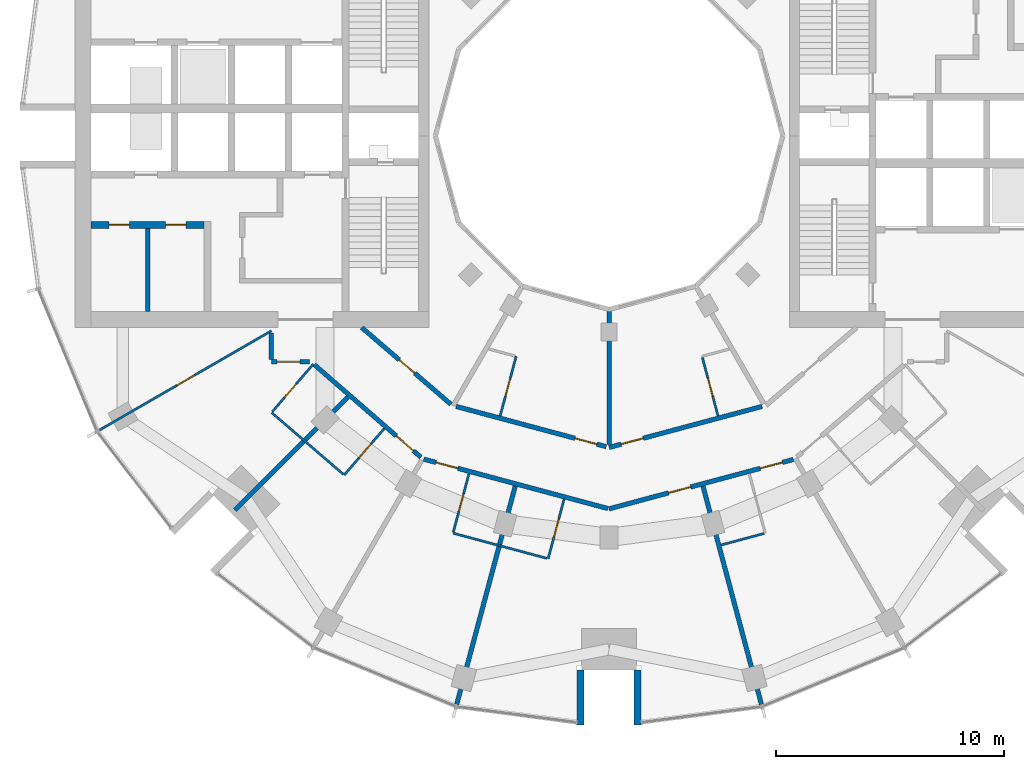
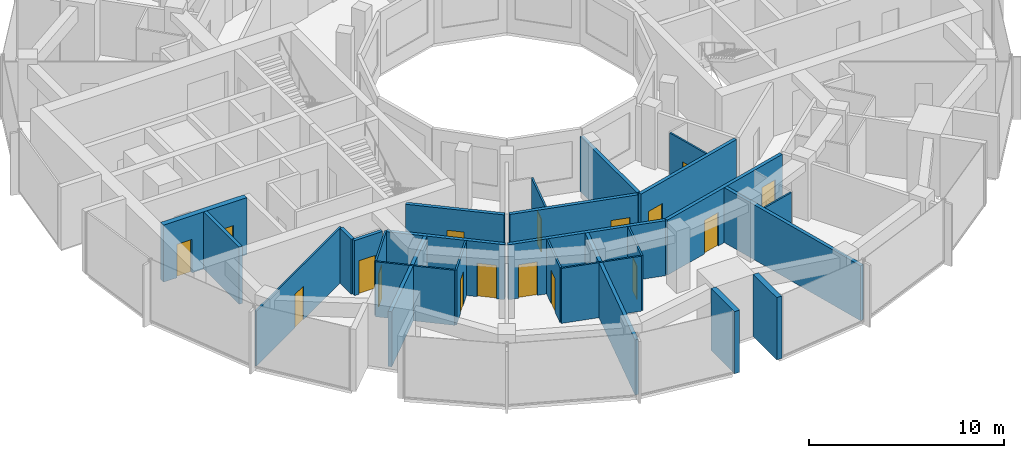
# One storey, part 8 of 15: 26 walls, 17 doors, 17 openings.
"""IFC4 building model written with IfcOpenShell, lengths in metres."""

from ifc_helpers import new_model, si_unit, direction, frame, frame_2d, origin, place, context, subcontext, project, spatial, rectangle, extrude, material, layer, layer_set, type_object, element, fill, save


model = new_model("IFC4")

# Units and contexts
model_context = context("Model", 3, precision=1e-05, world=origin(), true_north=direction((0.0, 1.0)))
body_context = subcontext(model_context, "Body", "Model", "MODEL_VIEW")
ifc_project = project(units=[si_unit("LENGTHUNIT", "METRE"), si_unit("AREAUNIT", "SQUARE_METRE"), si_unit("VOLUMEUNIT", "CUBIC_METRE"), si_unit("PLANEANGLEUNIT", "RADIAN"), si_unit("MASSUNIT", "GRAM", prefix="KILO")], contexts=[model_context])

# Site, building, storey
site_placement = place(None, origin())
site = spatial("IfcSite", under=ifc_project, at=site_placement, CompositionType="ELEMENT")
building_placement = place(site_placement, origin())
building = spatial("IfcBuilding", under=site, at=building_placement, Name="Torre Brocal", CompositionType="ELEMENT")
storey_placement = place(building_placement, frame((0.0, 0.0, 118.5)))
storey = spatial("IfcBuildingStorey", under=building, at=storey_placement, Name="L27", CompositionType="ELEMENT", Elevation=118.5)

# Wall
ifc_material_1 = material(Name="Masonry block", Category="masonry")
ifc_layer_1 = layer(ifc_material_1, 0.199951171875)
ifc_layer_set_1 = layer_set([ifc_layer_1], Name="Masonry block")
wall_type_1 = type_object("IfcWallType", Name="CORE PARTITION 200", PredefinedType="PARTITIONING", material=ifc_layer_set_1)
wall_1_placement = place(storey_placement, frame((59.77490234375, 70.949951171875, 0.0), z_axis=(0.0, 0.0, 1.0), x_axis=(0.0, -1.0, 0.0)))
element("IfcWall", 1, at=wall_1_placement, inside=storey, type_object=wall_type_1, Name="Wall CP200", PredefinedType="PARTITIONING", context=body_context, shape_type="SweptSolid", body=[
    extrude(rectangle(XDim=3.64990234375, YDim=0.199951171875, at=frame_2d((1.824951171875, 0.0))), origin(), (0.0, 0.0, 1.0), 3.580078125),
])

# Wall, openings, doors
ifc_material_2 = material(Name="Concrete C70", Category="concrete")
ifc_layer_2 = layer(ifc_material_2, 0.300048828125)
ifc_layer_set_2 = layer_set([ifc_layer_2], Name="Concrete C70")
wall_type_2 = type_object("IfcWallType", Name="CORE WALL 300 C70", PredefinedType="SHEAR", material=ifc_layer_set_2)
wall_2_placement = place(storey_placement, frame((62.25, 71.10009765625, 0.0), z_axis=(0.0, 0.0, 1.0), x_axis=(-1.0, 0.0, 0.0)))
wall_2 = element("IfcWall", 2, at=wall_2_placement, inside=storey, type_object=wall_type_2, Name="Wall CW300-70", PredefinedType="SHEAR", context=body_context, shape_type="SweptSolid", body=[
    extrude(rectangle(XDim=4.949951171875, YDim=0.300048828125, at=frame_2d((2.47509765625, 0.0))), origin(), (0.0, 0.0, 1.0), 3.580078125),
])
opening_1_placement = place(wall_2_placement, frame((0.78759765625, 0.0, 0.0)))
opening_1 = element("IfcOpeningElement", 3, at=opening_1_placement, cuts=wall_2, Name="Opening W-D05", PredefinedType="OPENING", context=body_context, shape_type="SweptSolid", body=[
    extrude(rectangle(XDim=0.89990234375, YDim=2.10009765625, at=frame_2d((0.449951171875, 1.050048828125))), frame((0.0, 0.159912109375, 0.0), z_axis=(0.0, -1.0, 0.0), x_axis=(1.0, 0.0, 0.0)), (0.0, 0.0, 1.0), 0.320068359375),
])
opening_2_placement = place(wall_2_placement, frame((3.262451171875, 0.0, 0.0)))
opening_2 = element("IfcOpeningElement", 4, at=opening_2_placement, cuts=wall_2, Name="Opening W-D06", PredefinedType="OPENING", context=body_context, shape_type="SweptSolid", body=[
    extrude(rectangle(XDim=0.89990234375, YDim=2.10009765625, at=frame_2d((0.449951171875, 1.050048828125))), frame((0.0, 0.159912109375, 0.0), z_axis=(0.0, -1.0, 0.0), x_axis=(1.0, 0.0, 0.0)), (0.0, 0.0, 1.0), 0.320068359375),
])
ifc_material_3 = material(Name="Steel A653", Category="steel")
door_type_1 = type_object("IfcDoorType", Name="ROOM DOOR FD30S 900X2100", OperationType="SINGLE_SWING_LEFT", PredefinedType="DOOR", material=ifc_material_3)
door_1_placement = place(opening_1_placement, origin())
door_1 = element("IfcDoor", 5, at=door_1_placement, inside=storey, type_object=door_type_1, Name="Door W-D05", OperationType="SINGLE_SWING_RIGHT", OverallHeight=2.10009765625, OverallWidth=0.89990234375, PredefinedType="DOOR", context=body_context, shape_type="SweptSolid", body=[
    extrude(rectangle(XDim=0.89990234375, YDim=2.10009765625, at=frame_2d((0.449951171875, 1.050048828125))), frame((0.0, 0.02490234375, 0.0), z_axis=(0.0, -1.0, 0.0), x_axis=(1.0, 0.0, 0.0)), (0.0, 0.0, 1.0), 0.050048828125),
])
fill(opening_1, door_1)
door_2_placement = place(opening_2_placement, origin())
door_2 = element("IfcDoor", 6, at=door_2_placement, inside=storey, type_object=door_type_1, Name="Door W-D06", OperationType="SINGLE_SWING_LEFT", OverallHeight=2.10009765625, OverallWidth=0.89990234375, PredefinedType="DOOR", context=body_context, shape_type="SweptSolid", body=[
    extrude(rectangle(XDim=0.89990234375, YDim=2.10009765625, at=frame_2d((0.449951171875, 1.050048828125))), frame((0.0, 0.02490234375, 0.0), z_axis=(0.0, -1.0, 0.0), x_axis=(1.0, 0.0, 0.0)), (0.0, 0.0, 1.0), 0.050048828125),
])
fill(opening_2, door_2)

# Walls
ifc_material_4 = material(Name="Concrete C70", Category="concrete")
ifc_layer_3 = layer(ifc_material_4, 0.300048828125)
ifc_layer_set_3 = layer_set([ifc_layer_3], Name="Concrete C70")
wall_type_3 = type_object("IfcWallType", Name="NOTCH RETURN WALL 300 C70", PredefinedType="NOTDEFINED", material=ifc_layer_set_3)
for number, where, z_axis, x_axis, name in (
    (7, (78.75, 51.60009765625, 0.0), (0.0, 0.0, 1.0), (0.0, -1.0, 0.0), "NOTCH RETURN WALL"),
    (8, (81.25, 51.60009765625, 0.0), (0.0, 0.0, 1.0), (0.0, -1.0, 0.0), "NOTCH RETURN WALL"),
):
    element("IfcWall", number, at=place(storey_placement, frame(where, z_axis=z_axis, x_axis=x_axis)), inside=storey, type_object=wall_type_3, Name=name, PredefinedType="NOTDEFINED", context=body_context, shape_type="SweptSolid", body=[
        extrude(rectangle(XDim=2.415771484375, YDim=0.300048828125, at=frame_2d((1.2080078125, 0.0))), origin(), (0.0, 0.0, 1.0), 3.89990234375),
    ])

# Wall, opening, door
ifc_material_5 = material(Name="Gypsum board", Category="Gypsum")
ifc_layer_4 = layer(ifc_material_5, 0.10009765625)
ifc_layer_set_4 = layer_set([ifc_layer_4], Name="Gypsum board")
wall_type_4 = type_object("IfcWallType", Name="PARTITION 100", PredefinedType="PARTITIONING", material=ifc_layer_set_4)
wall_3_placement = place(storey_placement, frame((57.65869140625, 62.10107421875, 0.0), z_axis=(0.0, 0.0, 1.0), x_axis=(0.86602264145, 0.500004784474, 0.0)))
wall_3 = element("IfcWall", 9, at=wall_3_placement, inside=storey, type_object=wall_type_4, Name="ROOM PARTITION", PredefinedType="PARTITIONING", context=body_context, shape_type="SweptSolid", body=[
    extrude(rectangle(XDim=8.7080078125, YDim=0.10009765625, at=frame_2d((4.35400390625, 0.0))), origin(), (0.0, 0.0, 1.0), 3.449951171875),
])
opening_3_placement = place(wall_3_placement, frame((3.928955078125, 0.0, 0.0)))
opening_3 = element("IfcOpeningElement", 10, at=opening_3_placement, cuts=wall_3, Name="Opening E01-D34", PredefinedType="OPENING", context=body_context, shape_type="SweptSolid", body=[
    extrude(rectangle(XDim=0.89990234375, YDim=2.10009765625, at=frame_2d((0.449951171875, 1.050048828125))), frame((0.0, 0.06005859375, 0.0), z_axis=(0.0, -1.0, 0.0), x_axis=(1.0, 0.0, 0.0)), (0.0, 0.0, 1.0), 0.1201171875),
])
ifc_material_6 = material(Name="Timber", Category="wood")
door_type_2 = type_object("IfcDoorType", Name="ROOM DOOR 900X2100", OperationType="SINGLE_SWING_LEFT", PredefinedType="DOOR", material=ifc_material_6)
door_3_placement = place(opening_3_placement, origin())
door_3 = element("IfcDoor", 11, at=door_3_placement, inside=storey, type_object=door_type_2, Name="E01-D34", OperationType="SINGLE_SWING_RIGHT", OverallHeight=2.10009765625, OverallWidth=0.89990234375, PredefinedType="DOOR", context=body_context, shape_type="SweptSolid", body=[
    extrude(rectangle(XDim=0.89990234375, YDim=2.10009765625, at=frame_2d((0.449951171875, 1.050048828125))), frame((0.0, 0.02490234375, 0.0), z_axis=(0.0, -1.0, 0.0), x_axis=(1.0, 0.0, 0.0)), (0.0, 0.0, 1.0), 0.050048828125),
])
fill(opening_3, door_3)

wall_4_placement = place(storey_placement, frame((65.24169921875, 62.911865234375, 0.0), z_axis=(0.0, 0.0, 1.0), x_axis=(0.652069888227, 0.758158862553, 0.0)))
wall_4 = element("IfcWall", 12, at=wall_4_placement, inside=storey, type_object=wall_type_4, Name="BATHROOM WALL", PredefinedType="PARTITIONING", context=body_context, shape_type="SweptSolid", body=[
    extrude(rectangle(XDim=2.75, YDim=0.10009765625, at=frame_2d((1.375, 0.0))), origin(), (0.0, 0.0, 1.0), 3.449951171875),
])
opening_4_placement = place(wall_4_placement, frame((0.800048828125, 0.0, 0.0)))
opening_4 = element("IfcOpeningElement", 13, at=opening_4_placement, cuts=wall_4, Name="Opening E01-D33", PredefinedType="OPENING", context=body_context, shape_type="SweptSolid", body=[
    extrude(rectangle(XDim=0.800048828125, YDim=2.10009765625, at=frame_2d((0.39990234375, 1.050048828125))), frame((0.0, 0.06005859375, 0.0), z_axis=(0.0, -1.0, 0.0), x_axis=(1.0, 0.0, 0.0)), (0.0, 0.0, 1.0), 0.1201171875),
])
ifc_material_7 = material(Name="Timber", Category="wood")
door_type_3 = type_object("IfcDoorType", Name="BATHROOM DOOR 800X2100", OperationType="SINGLE_SWING_LEFT", PredefinedType="DOOR", material=ifc_material_7)
door_4_placement = place(opening_4_placement, frame((0.800048828125, 0.0, 0.0), z_axis=(0.0, 0.0, 1.0), x_axis=(-1.0, 0.0, 0.0)))
door_4 = element("IfcDoor", 14, at=door_4_placement, inside=storey, type_object=door_type_3, Name="E01-D33", OperationType="SINGLE_SWING_RIGHT", OverallHeight=2.10009765625, OverallWidth=0.800048828125, PredefinedType="DOOR", context=body_context, shape_type="SweptSolid", body=[
    extrude(rectangle(XDim=0.800048828125, YDim=2.10009765625, at=frame_2d((0.39990234375, 1.050048828125))), frame((0.0, 0.02490234375, 0.0), z_axis=(0.0, -1.0, 0.0), x_axis=(1.0, 0.0, 0.0)), (0.0, 0.0, 1.0), 0.050048828125),
])
fill(opening_4, door_4)

# Wall
wall_5_placement = place(storey_placement, frame((65.209228515625, 62.87451171875, 0.0), z_axis=(0.0, 0.0, 1.0), x_axis=(0.757930378138, -0.652335451969, 0.0)))
element("IfcWall", 15, at=wall_5_placement, inside=storey, type_object=wall_type_4, Name="BATHROOM WALL", PredefinedType="PARTITIONING", context=body_context, shape_type="SweptSolid", body=[
    extrude(rectangle(XDim=4.150146484375, YDim=0.10009765625, at=frame_2d((2.0751953125, 0.0))), origin(), (0.0, 0.0, 1.0), 3.449951171875),
])

# Wall, opening, door
wall_6_placement = place(storey_placement, frame((68.39306640625, 60.135009765625, 0.0), z_axis=(0.0, 0.0, 1.0), x_axis=(0.652061182569, 0.758166349944, 0.0)))
wall_6 = element("IfcWall", 16, at=wall_6_placement, inside=storey, type_object=wall_type_4, Name="BATHROOM WALL", PredefinedType="PARTITIONING", context=body_context, shape_type="SweptSolid", body=[
    extrude(rectangle(XDim=2.689697265625, YDim=0.10009765625, at=frame_2d((1.3447265625, 0.0))), origin(), (0.0, 0.0, 1.0), 3.449951171875),
])
opening_5_placement = place(wall_6_placement, frame((1.0, 0.0, 0.0)))
opening_5 = element("IfcOpeningElement", 17, at=opening_5_placement, cuts=wall_6, Name="Opening E01-D31", PredefinedType="OPENING", context=body_context, shape_type="SweptSolid", body=[
    extrude(rectangle(XDim=0.800048828125, YDim=2.10009765625, at=frame_2d((0.39990234375, 1.050048828125))), frame((0.0, 0.06005859375, 0.0), z_axis=(0.0, -1.0, 0.0), x_axis=(1.0, 0.0, 0.0)), (0.0, 0.0, 1.0), 0.1201171875),
])
door_5_placement = place(opening_5_placement, origin())
door_5 = element("IfcDoor", 18, at=door_5_placement, inside=storey, type_object=door_type_3, Name="E01-D31", OperationType="SINGLE_SWING_RIGHT", OverallHeight=2.10009765625, OverallWidth=0.800048828125, PredefinedType="DOOR", context=body_context, shape_type="SweptSolid", body=[
    extrude(rectangle(XDim=0.800048828125, YDim=2.10009765625, at=frame_2d((0.39990234375, 1.050048828125))), frame((0.0, 0.02490234375, 0.0), z_axis=(0.0, -1.0, 0.0), x_axis=(1.0, 0.0, 0.0)), (0.0, 0.0, 1.0), 0.050048828125),
])
fill(opening_5, door_5)

wall_7_placement = place(storey_placement, frame((73.173828125, 57.63623046875, 0.0), z_axis=(0.0, 0.0, 1.0), x_axis=(0.258952498977, 0.96589005755, 0.0)))
wall_7 = element("IfcWall", 19, at=wall_7_placement, inside=storey, type_object=wall_type_4, Name="BATHROOM WALL", PredefinedType="PARTITIONING", context=body_context, shape_type="SweptSolid", body=[
    extrude(rectangle(XDim=2.650146484375, YDim=0.10009765625, at=frame_2d((1.3251953125, 0.0))), origin(), (0.0, 0.0, 1.0), 3.449951171875),
])
opening_6_placement = place(wall_7_placement, frame((0.9501953125, 0.0, 0.0)))
opening_6 = element("IfcOpeningElement", 20, at=opening_6_placement, cuts=wall_7, Name="Opening E01-D29", PredefinedType="OPENING", context=body_context, shape_type="SweptSolid", body=[
    extrude(rectangle(XDim=0.800048828125, YDim=2.10009765625, at=frame_2d((0.39990234375, 1.050048828125))), frame((0.0, 0.06005859375, 0.0), z_axis=(0.0, -1.0, 0.0), x_axis=(1.0, 0.0, 0.0)), (0.0, 0.0, 1.0), 0.1201171875),
])
door_6_placement = place(opening_6_placement, frame((0.800048828125, 0.0, 0.0), z_axis=(0.0, 0.0, 1.0), x_axis=(-1.0, 0.0, 0.0)))
door_6 = element("IfcDoor", 21, at=door_6_placement, inside=storey, type_object=door_type_3, Name="E01-D29", OperationType="SINGLE_SWING_LEFT", OverallHeight=2.10009765625, OverallWidth=0.800048828125, PredefinedType="DOOR", context=body_context, shape_type="SweptSolid", body=[
    extrude(rectangle(XDim=0.800048828125, YDim=2.10009765625, at=frame_2d((0.39990234375, 1.050048828125))), frame((0.0, 0.02490234375, 0.0), z_axis=(0.0, -1.0, 0.0), x_axis=(1.0, 0.0, 0.0)), (0.0, 0.0, 1.0), 0.050048828125),
])
fill(opening_6, door_6)

# Wall
wall_8_placement = place(storey_placement, frame((73.1611328125, 57.58837890625, 0.0), z_axis=(0.0, 0.0, 1.0), x_axis=(0.965858226827, -0.259071198071, 0.0)))
element("IfcWall", 22, at=wall_8_placement, inside=storey, type_object=wall_type_4, Name="BATHROOM WALL", PredefinedType="PARTITIONING", context=body_context, shape_type="SweptSolid", body=[
    extrude(rectangle(XDim=4.260498046875, YDim=0.10009765625, at=frame_2d((2.13037109375, 0.0))), origin(), (0.0, 0.0, 1.0), 3.449951171875),
])

# Wall, opening, door
wall_9_placement = place(storey_placement, frame((75.226806640625, 62.728759765625, 0.0), z_axis=(0.0, 0.0, 1.0), x_axis=(0.258945475746, 0.965891940432, 0.0)))
wall_9 = element("IfcWall", 23, at=wall_9_placement, inside=storey, type_object=wall_type_4, Name="BATHROOM WALL", PredefinedType="PARTITIONING", context=body_context, shape_type="SweptSolid", body=[
    extrude(rectangle(XDim=2.7001953125, YDim=0.10009765625, at=frame_2d((1.35009765625, 0.0))), origin(), (0.0, 0.0, 1.0), 3.449951171875),
])
opening_7_placement = place(wall_9_placement, frame((0.900146484375, 0.0, 0.0)))
opening_7 = element("IfcOpeningElement", 24, at=opening_7_placement, cuts=wall_9, Name="Opening E01-D39", PredefinedType="OPENING", context=body_context, shape_type="SweptSolid", body=[
    extrude(rectangle(XDim=0.800048828125, YDim=2.10009765625, at=frame_2d((0.39990234375, 1.050048828125))), frame((0.0, 0.06005859375, 0.0), z_axis=(0.0, -1.0, 0.0), x_axis=(1.0, 0.0, 0.0)), (0.0, 0.0, 1.0), 0.1201171875),
])
door_7_placement = place(opening_7_placement, origin())
door_7 = element("IfcDoor", 25, at=door_7_placement, inside=storey, type_object=door_type_3, Name="E01-D39", OperationType="SINGLE_SWING_LEFT", OverallHeight=2.10009765625, OverallWidth=0.800048828125, PredefinedType="DOOR", context=body_context, shape_type="SweptSolid", body=[
    extrude(rectangle(XDim=0.800048828125, YDim=2.10009765625, at=frame_2d((0.39990234375, 1.050048828125))), frame((0.0, 0.02490234375, 0.0), z_axis=(0.0, -1.0, 0.0), x_axis=(1.0, 0.0, 0.0)), (0.0, 0.0, 1.0), 0.050048828125),
])
fill(opening_7, door_7)

wall_10_placement = place(storey_placement, frame((77.32861328125, 56.47119140625, 0.0), z_axis=(0.0, 0.0, 1.0), x_axis=(0.259013334072, 0.965873745773, 0.0)))
wall_10 = element("IfcWall", 26, at=wall_10_placement, inside=storey, type_object=wall_type_4, Name="BATHROOM WALL", PredefinedType="PARTITIONING", context=body_context, shape_type="SweptSolid", body=[
    extrude(rectangle(XDim=2.699462890625, YDim=0.10009765625, at=frame_2d((1.349609375, 0.0))), origin(), (0.0, 0.0, 1.0), 3.449951171875),
])
opening_8_placement = place(wall_10_placement, frame((0.999755859375, 0.0, 0.0)))
opening_8 = element("IfcOpeningElement", 27, at=opening_8_placement, cuts=wall_10, Name="Opening E01-D27", PredefinedType="OPENING", context=body_context, shape_type="SweptSolid", body=[
    extrude(rectangle(XDim=0.800048828125, YDim=2.10009765625, at=frame_2d((0.39990234375, 1.050048828125))), frame((0.0, 0.06005859375, 0.0), z_axis=(0.0, -1.0, 0.0), x_axis=(1.0, 0.0, 0.0)), (0.0, 0.0, 1.0), 0.1201171875),
])
door_8_placement = place(opening_8_placement, origin())
door_8 = element("IfcDoor", 28, at=door_8_placement, inside=storey, type_object=door_type_3, Name="E01-D27", OperationType="SINGLE_SWING_RIGHT", OverallHeight=2.10009765625, OverallWidth=0.800048828125, PredefinedType="DOOR", context=body_context, shape_type="SweptSolid", body=[
    extrude(rectangle(XDim=0.800048828125, YDim=2.10009765625, at=frame_2d((0.39990234375, 1.050048828125))), frame((0.0, 0.02490234375, 0.0), z_axis=(0.0, -1.0, 0.0), x_axis=(1.0, 0.0, 0.0)), (0.0, 0.0, 1.0), 0.050048828125),
])
fill(opening_8, door_8)

wall_11_placement = place(storey_placement, frame((84.0869140625, 65.288818359375, 0.0), z_axis=(0.0, 0.0, 1.0), x_axis=(0.258929459649, -0.965896234037, 0.0)))
wall_11 = element("IfcWall", 29, at=wall_11_placement, inside=storey, type_object=wall_type_4, Name="BATHROOM WALL", PredefinedType="PARTITIONING", context=body_context, shape_type="SweptSolid", body=[
    extrude(rectangle(XDim=2.650390625, YDim=0.10009765625, at=frame_2d((1.3251953125, 0.0))), origin(), (0.0, 0.0, 1.0), 3.449951171875),
])
opening_9_placement = place(wall_11_placement, frame((0.9501953125, 0.0, 0.0)))
opening_9 = element("IfcOpeningElement", 30, at=opening_9_placement, cuts=wall_11, Name="Opening E01-D37", PredefinedType="OPENING", context=body_context, shape_type="SweptSolid", body=[
    extrude(rectangle(XDim=0.800048828125, YDim=2.10009765625, at=frame_2d((0.39990234375, 1.050048828125))), frame((0.0, 0.06005859375, 0.0), z_axis=(0.0, -1.0, 0.0), x_axis=(1.0, 0.0, 0.0)), (0.0, 0.0, 1.0), 0.1201171875),
])
door_9_placement = place(opening_9_placement, origin())
door_9 = element("IfcDoor", 31, at=door_9_placement, inside=storey, type_object=door_type_3, Name="E01-D37", OperationType="SINGLE_SWING_RIGHT", OverallHeight=2.10009765625, OverallWidth=0.800048828125, PredefinedType="DOOR", context=body_context, shape_type="SweptSolid", body=[
    extrude(rectangle(XDim=0.800048828125, YDim=2.10009765625, at=frame_2d((0.39990234375, 1.050048828125))), frame((0.0, 0.02490234375, 0.0), z_axis=(0.0, -1.0, 0.0), x_axis=(1.0, 0.0, 0.0)), (0.0, 0.0, 1.0), 0.050048828125),
])
fill(opening_9, door_9)

# Walls
wall_12_placement = place(storey_placement, frame((84.90771484375, 57.06982421875, 0.0), z_axis=(0.0, 0.0, 1.0), x_axis=(0.965853538138, 0.25908867761, 0.0)))
element("IfcWall", 32, at=wall_12_placement, inside=storey, type_object=wall_type_4, Name="BATHROOM WALL", PredefinedType="PARTITIONING", context=body_context, shape_type="SweptSolid", body=[
    extrude(rectangle(XDim=1.94970703125, YDim=0.10009765625, at=frame_2d((0.974853515625, 0.0))), origin(), (0.0, 0.0, 1.0), 3.449951171875),
])
ifc_material_8 = material(Name="Gypsum board", Category="Gypsum")
ifc_layer_5 = layer(ifc_material_8, 0.199951171875)
ifc_layer_set_5 = layer_set([ifc_layer_5], Name="Gypsum board")
wall_type_5 = type_object("IfcWallType", Name="PARTITION 200 EI60", PredefinedType="PARTITIONING", material=ifc_layer_set_5)
wall_13_placement = place(storey_placement, frame((63.595703125, 58.595703125, 0.0), z_axis=(0.0, 0.0, 1.0), x_axis=(0.707106781187, 0.707106781187, 0.0)))
element("IfcWall", 33, at=wall_13_placement, inside=storey, type_object=wall_type_5, Name="BATHROOM WALL", PredefinedType="PARTITIONING", context=body_context, shape_type="SweptSolid", body=[
    extrude(rectangle(XDim=7.00537109375, YDim=0.199951171875, at=frame_2d((3.502685546875, 0.0))), origin(), (0.0, 0.0, 1.0), 3.449951171875),
])
wall_14_placement = place(storey_placement, frame((65.199951171875, 65.199951171875, 0.0), z_axis=(0.0, 0.0, 1.0), x_axis=(0.0, 1.0, 0.0)))
element("IfcWall", 34, at=wall_14_placement, inside=storey, type_object=wall_type_5, Name="GUESTROOM CORRIDOR WALL", PredefinedType="PARTITIONING", context=body_context, shape_type="SweptSolid", body=[
    extrude(rectangle(XDim=1.150146484375, YDim=0.199951171875, at=frame_2d((0.5751953125, 0.0))), origin(), (0.0, 0.0, 1.0), 3.449951171875),
])

# Wall, opening, door
wall_15_placement = place(storey_placement, frame((65.199951171875, 65.10009765625, 0.0), z_axis=(0.0, 0.0, 1.0), x_axis=(1.0, 0.0, 0.0)))
wall_15 = element("IfcWall", 35, at=wall_15_placement, inside=storey, type_object=wall_type_5, Name="GUESTROOM CORRIDOR WALL", PredefinedType="PARTITIONING", context=body_context, shape_type="SweptSolid", body=[
    extrude(rectangle(XDim=1.6650390625, YDim=0.199951171875, at=frame_2d((0.83251953125, 0.0))), origin(), (0.0, 0.0, 1.0), 3.449951171875),
])
opening_10_placement = place(wall_15_placement, frame((0.25, 0.0, 0.0)))
opening_10 = element("IfcOpeningElement", 36, at=opening_10_placement, cuts=wall_15, Name="Opening E01-D32", PredefinedType="OPENING", context=body_context, shape_type="SweptSolid", body=[
    extrude(rectangle(XDim=1.0, YDim=2.10009765625, at=frame_2d((0.5, 1.050048828125))), frame((0.0, 0.10986328125, 0.0), z_axis=(0.0, -1.0, 0.0), x_axis=(1.0, 0.0, 0.0)), (0.0, 0.0, 1.0), 0.219970703125),
])
ifc_material_9 = material(Name="Timber", Category="wood")
door_type_4 = type_object("IfcDoorType", Name="FLAT ENTRY DOOR FD30S 1000X2100", OperationType="SINGLE_SWING_RIGHT", PredefinedType="DOOR", material=ifc_material_9)
door_10_placement = place(opening_10_placement, frame((1.0, 0.0, 0.0), z_axis=(0.0, 0.0, 1.0), x_axis=(-1.0, 0.0, 0.0)))
door_10 = element("IfcDoor", 37, at=door_10_placement, inside=storey, type_object=door_type_4, Name="E01-D32", OperationType="SINGLE_SWING_RIGHT", OverallHeight=2.10009765625, OverallWidth=1.0, PredefinedType="DOOR", context=body_context, shape_type="SweptSolid", body=[
    extrude(rectangle(XDim=1.0, YDim=2.10009765625, at=frame_2d((0.5, 1.050048828125))), frame((0.0, 0.02490234375, 0.0), z_axis=(0.0, -1.0, 0.0), x_axis=(1.0, 0.0, 0.0)), (0.0, 0.0, 1.0), 0.050048828125),
])
fill(opening_10, door_10)

wall_16_placement = place(storey_placement, frame((67.081298828125, 64.97119140625, 0.0), z_axis=(0.0, 0.0, 1.0), x_axis=(0.755031061605, -0.65568902386, 0.0)))
wall_16 = element("IfcWall", 38, at=wall_16_placement, inside=storey, type_object=wall_type_5, Name="GUESTROOM CORRIDOR WALL", PredefinedType="PARTITIONING", context=body_context, shape_type="SweptSolid", body=[
    extrude(rectangle(XDim=6.185791015625, YDim=0.199951171875, at=frame_2d((3.0927734375, 0.0))), origin(), (0.0, 0.0, 1.0), 3.449951171875),
])
opening_11_placement = place(wall_16_placement, frame((4.755126953125, 0.0, 0.0)))
opening_11 = element("IfcOpeningElement", 39, at=opening_11_placement, cuts=wall_16, Name="Opening E01-D30", PredefinedType="OPENING", context=body_context, shape_type="SweptSolid", body=[
    extrude(rectangle(XDim=1.0, YDim=2.10009765625, at=frame_2d((0.5, 1.050048828125))), frame((0.0, 0.10986328125, 0.0), z_axis=(0.0, -1.0, 0.0), x_axis=(1.0, 0.0, 0.0)), (0.0, 0.0, 1.0), 0.219970703125),
])
door_11_placement = place(opening_11_placement, frame((1.0, 0.0, 0.0), z_axis=(0.0, 0.0, 1.0), x_axis=(-1.0, 0.0, 0.0)))
door_11 = element("IfcDoor", 40, at=door_11_placement, inside=storey, type_object=door_type_4, Name="E01-D30", OperationType="SINGLE_SWING_LEFT", OverallHeight=2.10009765625, OverallWidth=1.0, PredefinedType="DOOR", context=body_context, shape_type="SweptSolid", body=[
    extrude(rectangle(XDim=1.0, YDim=2.10009765625, at=frame_2d((0.5, 1.050048828125))), frame((0.0, 0.02490234375, 0.0), z_axis=(0.0, -1.0, 0.0), x_axis=(1.0, 0.0, 0.0)), (0.0, 0.0, 1.0), 0.050048828125),
])
fill(opening_11, door_11)

wall_17_placement = place(storey_placement, frame((69.157958984375, 66.60009765625, 0.0), z_axis=(0.0, 0.0, 1.0), x_axis=(0.758063092745, -0.652181222835, 0.0)))
wall_17 = element("IfcWall", 41, at=wall_17_placement, inside=storey, type_object=wall_type_5, Name="CORRIDOR WALL", PredefinedType="PARTITIONING", context=body_context, shape_type="SweptSolid", body=[
    extrude(rectangle(XDim=5.160400390625, YDim=0.199951171875, at=frame_2d((2.580078125, 0.0))), origin(), (0.0, 0.0, 1.0), 3.449951171875),
])
opening_12_placement = place(wall_17_placement, frame((2.165283203125, 0.0, 0.0)))
opening_12 = element("IfcOpeningElement", 42, at=opening_12_placement, cuts=wall_17, Name="Opening E01-D40", PredefinedType="OPENING", context=body_context, shape_type="SweptSolid", body=[
    extrude(rectangle(XDim=0.89990234375, YDim=2.10009765625, at=frame_2d((0.449951171875, 1.050048828125))), frame((0.0, 0.10986328125, 0.0), z_axis=(0.0, -1.0, 0.0), x_axis=(1.0, 0.0, 0.0)), (0.0, 0.0, 1.0), 0.219970703125),
])
door_12_placement = place(opening_12_placement, origin())
door_12 = element("IfcDoor", 43, at=door_12_placement, inside=storey, type_object=door_type_2, Name="E01-D40", OperationType="SINGLE_SWING_LEFT", OverallHeight=2.10009765625, OverallWidth=0.89990234375, PredefinedType="DOOR", context=body_context, shape_type="SweptSolid", body=[
    extrude(rectangle(XDim=0.89990234375, YDim=2.10009765625, at=frame_2d((0.449951171875, 1.050048828125))), frame((0.0, 0.02490234375, 0.0), z_axis=(0.0, -1.0, 0.0), x_axis=(1.0, 0.0, 0.0)), (0.0, 0.0, 1.0), 0.050048828125),
])
fill(opening_12, door_12)

wall_18_placement = place(storey_placement, frame((71.877197265625, 60.831787109375, 0.0), z_axis=(0.0, 0.0, 1.0), x_axis=(0.965857276008, -0.259074742848, 0.0)))
wall_18 = element("IfcWall", 44, at=wall_18_placement, inside=storey, type_object=wall_type_5, Name="GUESTROOM CORRIDOR WALL", PredefinedType="PARTITIONING", context=body_context, shape_type="SweptSolid", body=[
    extrude(rectangle(XDim=8.359619140625, YDim=0.199951171875, at=frame_2d((4.1796875, 0.0))), origin(), (0.0, 0.0, 1.0), 3.449951171875),
])
opening_13_placement = place(wall_18_placement, frame((0.550048828125, 0.0, 0.0)))
opening_13 = element("IfcOpeningElement", 45, at=opening_13_placement, cuts=wall_18, Name="Opening E01-D28", PredefinedType="OPENING", context=body_context, shape_type="SweptSolid", body=[
    extrude(rectangle(XDim=1.0, YDim=2.10009765625, at=frame_2d((0.5, 1.050048828125))), frame((0.0, 0.10986328125, 0.0), z_axis=(0.0, -1.0, 0.0), x_axis=(1.0, 0.0, 0.0)), (0.0, 0.0, 1.0), 0.219970703125),
])
door_13_placement = place(opening_13_placement, frame((1.0, 0.0, 0.0), z_axis=(0.0, 0.0, 1.0), x_axis=(-1.0, 0.0, 0.0)))
door_13 = element("IfcDoor", 46, at=door_13_placement, inside=storey, type_object=door_type_4, Name="E01-D28", OperationType="SINGLE_SWING_LEFT", OverallHeight=2.10009765625, OverallWidth=1.0, PredefinedType="DOOR", context=body_context, shape_type="SweptSolid", body=[
    extrude(rectangle(XDim=1.0, YDim=2.10009765625, at=frame_2d((0.5, 1.050048828125))), frame((0.0, 0.02490234375, 0.0), z_axis=(0.0, -1.0, 0.0), x_axis=(1.0, 0.0, 0.0)), (0.0, 0.0, 1.0), 0.050048828125),
])
fill(opening_13, door_13)

wall_19_placement = place(storey_placement, frame((73.296875, 63.142578125, 0.0), z_axis=(0.0, 0.0, 1.0), x_axis=(0.965859030528, -0.25906820173, 0.0)))
wall_19 = element("IfcWall", 47, at=wall_19_placement, inside=storey, type_object=wall_type_5, Name="GUESTROOM CORRIDOR WALL", PredefinedType="PARTITIONING", context=body_context, shape_type="SweptSolid", body=[
    extrude(rectangle(XDim=6.8095703125, YDim=0.199951171875, at=frame_2d((3.40478515625, 0.0))), origin(), (0.0, 0.0, 1.0), 3.449951171875),
])
opening_14_placement = place(wall_19_placement, frame((5.3896484375, 0.0, 0.0)))
opening_14 = element("IfcOpeningElement", 48, at=opening_14_placement, cuts=wall_19, Name="Opening E01-D38", PredefinedType="OPENING", context=body_context, shape_type="SweptSolid", body=[
    extrude(rectangle(XDim=1.0, YDim=2.10009765625, at=frame_2d((0.5, 1.050048828125))), frame((0.0, 0.10986328125, 0.0), z_axis=(0.0, -1.0, 0.0), x_axis=(1.0, 0.0, 0.0)), (0.0, 0.0, 1.0), 0.219970703125),
])
door_14_placement = place(opening_14_placement, origin())
door_14 = element("IfcDoor", 49, at=door_14_placement, inside=storey, type_object=door_type_4, Name="E01-D38", OperationType="SINGLE_SWING_RIGHT", OverallHeight=2.10009765625, OverallWidth=1.0, PredefinedType="DOOR", context=body_context, shape_type="SweptSolid", body=[
    extrude(rectangle(XDim=1.0, YDim=2.10009765625, at=frame_2d((0.5, 1.050048828125))), frame((0.0, 0.02490234375, 0.0), z_axis=(0.0, -1.0, 0.0), x_axis=(1.0, 0.0, 0.0)), (0.0, 0.0, 1.0), 0.050048828125),
])
fill(opening_14, door_14)

# Wall
wall_20_placement = place(storey_placement, frame((73.32080078125, 50.082275390625, 0.0), z_axis=(0.0, 0.0, 1.0), x_axis=(0.259057928998, 0.96586178588, 0.0)))
element("IfcWall", 50, at=wall_20_placement, inside=storey, type_object=wall_type_5, Name="BATHROOM WALL", PredefinedType="PARTITIONING", context=body_context, shape_type="SweptSolid", body=[
    extrude(rectangle(XDim=9.90869140625, YDim=0.199951171875, at=frame_2d((4.954345703125, 0.0))), origin(), (0.0, 0.0, 1.0), 3.449951171875),
])

# Wall, openings, doors
wall_21_placement = place(storey_placement, frame((79.999755859375, 58.65478515625, 0.0), z_axis=(0.0, 0.0, 1.0), x_axis=(0.965967338894, 0.258664068224, 0.0)))
wall_21 = element("IfcWall", 51, at=wall_21_placement, inside=storey, type_object=wall_type_5, Name="GUESTROOM CORRIDOR WALL", PredefinedType="PARTITIONING", context=body_context, shape_type="SweptSolid", body=[
    extrude(rectangle(XDim=8.359619140625, YDim=0.199951171875, at=frame_2d((4.1796875, 0.0))), origin(), (0.0, 0.0, 1.0), 3.449951171875),
])
opening_15_placement = place(wall_21_placement, frame((6.859619140625, 0.0, 0.0)))
opening_15 = element("IfcOpeningElement", 52, at=opening_15_placement, cuts=wall_21, Name="Opening E01-D24", PredefinedType="OPENING", context=body_context, shape_type="SweptSolid", body=[
    extrude(rectangle(XDim=1.0, YDim=2.10009765625, at=frame_2d((0.5, 1.050048828125))), frame((0.0, 0.10986328125, 0.0), z_axis=(0.0, -1.0, 0.0), x_axis=(1.0, 0.0, 0.0)), (0.0, 0.0, 1.0), 0.219970703125),
])
opening_16_placement = place(wall_21_placement, frame((2.69970703125, 0.0, 0.0)))
opening_16 = element("IfcOpeningElement", 53, at=opening_16_placement, cuts=wall_21, Name="Opening E01-D26", PredefinedType="OPENING", context=body_context, shape_type="SweptSolid", body=[
    extrude(rectangle(XDim=1.0, YDim=2.10009765625, at=frame_2d((0.5, 1.050048828125))), frame((0.0, 0.10986328125, 0.0), z_axis=(0.0, -1.0, 0.0), x_axis=(1.0, 0.0, 0.0)), (0.0, 0.0, 1.0), 0.219970703125),
])
door_15_placement = place(opening_15_placement, frame((1.0, 0.0, 0.0), z_axis=(0.0, 0.0, 1.0), x_axis=(-1.0, 0.0, 0.0)))
door_15 = element("IfcDoor", 54, at=door_15_placement, inside=storey, type_object=door_type_4, Name="E01-D24", OperationType="SINGLE_SWING_RIGHT", OverallHeight=2.10009765625, OverallWidth=1.0, PredefinedType="DOOR", context=body_context, shape_type="SweptSolid", body=[
    extrude(rectangle(XDim=1.0, YDim=2.10009765625, at=frame_2d((0.5, 1.050048828125))), frame((0.0, 0.02490234375, 0.0), z_axis=(0.0, -1.0, 0.0), x_axis=(1.0, 0.0, 0.0)), (0.0, 0.0, 1.0), 0.050048828125),
])
fill(opening_15, door_15)
door_16_placement = place(opening_16_placement, frame((1.0, 0.0, 0.0), z_axis=(0.0, 0.0, 1.0), x_axis=(-1.0, 0.0, 0.0)))
door_16 = element("IfcDoor", 55, at=door_16_placement, inside=storey, type_object=door_type_4, Name="E01-D26", OperationType="SINGLE_SWING_LEFT", OverallHeight=2.10009765625, OverallWidth=1.0, PredefinedType="DOOR", context=body_context, shape_type="SweptSolid", body=[
    extrude(rectangle(XDim=1.0, YDim=2.10009765625, at=frame_2d((0.5, 1.050048828125))), frame((0.0, 0.02490234375, 0.0), z_axis=(0.0, -1.0, 0.0), x_axis=(1.0, 0.0, 0.0)), (0.0, 0.0, 1.0), 0.050048828125),
])
fill(opening_16, door_16)

# Wall
wall_22_placement = place(storey_placement, frame((80.0, 61.47607421875, 0.0), z_axis=(0.0, 0.0, 1.0), x_axis=(0.0, 1.0, 0.0)))
element("IfcWall", 56, at=wall_22_placement, inside=storey, type_object=wall_type_5, Name="PARTY PARTITION", PredefinedType="PARTITIONING", context=body_context, shape_type="SweptSolid", body=[
    extrude(rectangle(XDim=5.824951171875, YDim=0.199951171875, at=frame_2d((2.91259765625, 0.0))), origin(), (0.0, 0.0, 1.0), 3.449951171875),
])

# Wall, opening, door
wall_23_placement = place(storey_placement, frame((80.0, 61.345947265625, 0.0), z_axis=(0.0, 0.0, 1.0), x_axis=(0.965924181808, 0.258825182312, 0.0)))
wall_23 = element("IfcWall", 57, at=wall_23_placement, inside=storey, type_object=wall_type_5, Name="GUESTROOM CORRIDOR WALL", PredefinedType="PARTITIONING", context=body_context, shape_type="SweptSolid", body=[
    extrude(rectangle(XDim=6.939697265625, YDim=0.199951171875, at=frame_2d((3.4697265625, 0.0))), origin(), (0.0, 0.0, 1.0), 3.449951171875),
])
opening_17_placement = place(wall_23_placement, frame((0.550048828125, 0.0, 0.0)))
opening_17 = element("IfcOpeningElement", 58, at=opening_17_placement, cuts=wall_23, Name="Opening E01-D36", PredefinedType="OPENING", context=body_context, shape_type="SweptSolid", body=[
    extrude(rectangle(XDim=1.0, YDim=2.10009765625, at=frame_2d((0.5, 1.050048828125))), frame((0.0, 0.10986328125, 0.0), z_axis=(0.0, -1.0, 0.0), x_axis=(1.0, 0.0, 0.0)), (0.0, 0.0, 1.0), 0.219970703125),
])
door_17_placement = place(opening_17_placement, origin())
door_17 = element("IfcDoor", 59, at=door_17_placement, inside=storey, type_object=door_type_4, Name="E01-D36", OperationType="SINGLE_SWING_LEFT", OverallHeight=2.10009765625, OverallWidth=1.0, PredefinedType="DOOR", context=body_context, shape_type="SweptSolid", body=[
    extrude(rectangle(XDim=1.0, YDim=2.10009765625, at=frame_2d((0.5, 1.050048828125))), frame((0.0, 0.02490234375, 0.0), z_axis=(0.0, -1.0, 0.0), x_axis=(1.0, 0.0, 0.0)), (0.0, 0.0, 1.0), 0.050048828125),
])
fill(opening_17, door_17)

# Wall
wall_24_placement = place(storey_placement, frame((84.11181640625, 59.65234375, 0.0), z_axis=(0.0, 0.0, 1.0), x_axis=(0.258838718107, -0.965920554709, 0.0)))
element("IfcWall", 60, at=wall_24_placement, inside=storey, type_object=wall_type_5, Name="BATHROOM WALL", PredefinedType="PARTITIONING", context=body_context, shape_type="SweptSolid", body=[
    extrude(rectangle(XDim=9.908447265625, YDim=0.199951171875, at=frame_2d((4.9541015625, 0.0))), origin(), (0.0, 0.0, 1.0), 3.449951171875),
])

save(model, "model.ifc")
